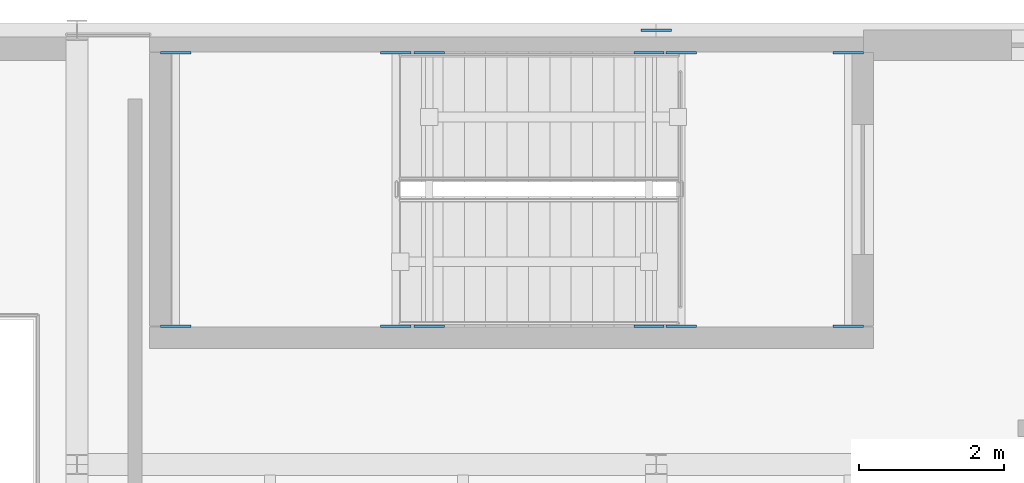
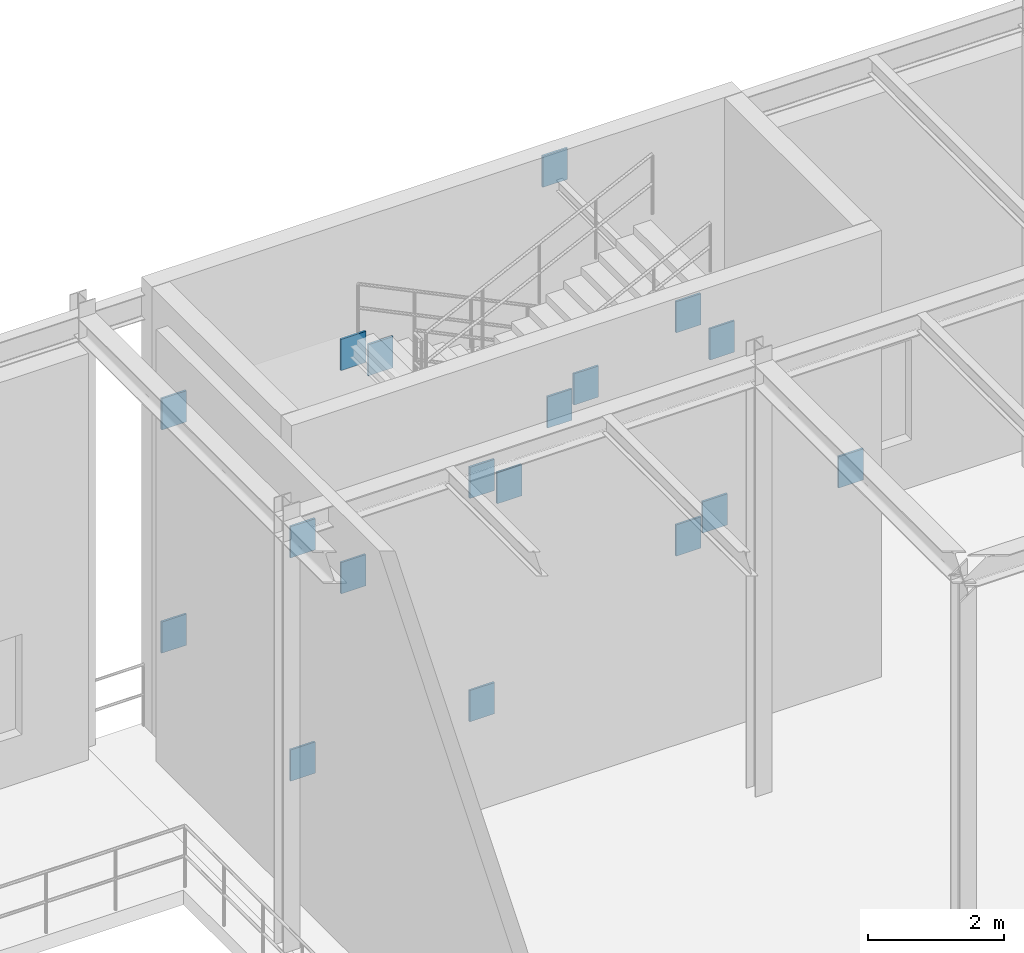
# One storey, part 89 of 138: 18 plates.
"""IFC4 building model written with IfcOpenShell, lengths in metres."""

from ifc_helpers import new_model, si_unit, direction, frame, origin, origin_2d, place, context, subcontext, project, spatial, rectangle, extrude, material, layer, layer_set, type_object, element, save


model = new_model("IFC4")

# Units and contexts
model_context = context("Model", 3, precision=1e-05, world=origin(), true_north=direction((0.0, 1.0)))
body_context = subcontext(model_context, "Body", "Model", "MODEL_VIEW")
ifc_project = project(units=[si_unit("LENGTHUNIT", "METRE"), si_unit("AREAUNIT", "SQUARE_METRE"), si_unit("VOLUMEUNIT", "CUBIC_METRE"), si_unit("PLANEANGLEUNIT", "RADIAN"), si_unit("MASSUNIT", "GRAM", prefix="KILO")], contexts=[model_context])

# Site, building, storey
site_placement = place(None, origin())
site = spatial("IfcSite", under=ifc_project, at=site_placement, CompositionType="ELEMENT")
building_placement = place(site_placement, origin())
building = spatial("IfcBuilding", under=site, at=building_placement, Name="Sundkrona Museum", CompositionType="ELEMENT")
storey_placement = place(building_placement, frame((0.0, 0.0, 9.60009765625)))
storey = spatial("IfcBuildingStorey", under=building, at=storey_placement, Name="L02", CompositionType="ELEMENT", Elevation=9.60009765625)

# Plates
ifc_material = material(Name="Steel S355J2", Category="steel")
ifc_layer = layer(ifc_material, 0.034912109375)
ifc_layer_set = layer_set([ifc_layer], Name="Steel S355J2")
plate_type = type_object("IfcPlateType", Name="EP-1", PredefinedType="USERDEFINED", material=ifc_layer_set)
for number, where, z_axis, x_axis, name in (
    (1, (144.0, 114.0, 7.23486328125), (0.0, 0.0, 1.0), (1.0, 0.0, 0.0), "Core Wall Cast-In Embed Plate BM-L02-X-1262-2"),
    (2, (137.36328125, 109.909912109375, 1.39990234375), (0.0, 0.0, 1.0), (1.0, 0.0, 0.0), "Core Wall Cast-In Embed Plate BM-STLD-ST-5-L02-1A-1"),
    (3, (137.36328125, 113.68994140625, 1.39990234375), (0.0, 0.0, 1.0), (1.0, 0.0, 0.0), "Core Wall Cast-In Embed Plate BM-STLD-ST-5-L02-1A-2"),
    (4, (140.401611328125, 109.909912109375, 1.39990234375), (0.0, 0.0, 1.0), (1.0, 0.0, 0.0), "Core Wall Cast-In Embed Plate BM-STLD-ST-5-L02-1B-1"),
    (5, (140.401611328125, 113.68994140625, 1.39990234375), (0.0, 0.0, 1.0), (1.0, 0.0, 0.0), "Core Wall Cast-In Embed Plate BM-STLD-ST-5-L02-1B-2"),
    (6, (144.347900390625, 109.909912109375, 3.39990234375), (0.0, 0.0, 1.0), (1.0, 0.0, 0.0), "Core Wall Cast-In Embed Plate BM-STLD-ST-5-L02-2A-1"),
    (7, (144.347900390625, 113.68994140625, 3.39990234375), (0.0, 0.0, 1.0), (1.0, 0.0, 0.0), "Core Wall Cast-In Embed Plate BM-STLD-ST-5-L02-2A-2"),
    (8, (146.652099609375, 109.909912109375, 3.39990234375), (0.0, 0.0, 1.0), (1.0, 0.0, 0.0), "Core Wall Cast-In Embed Plate BM-STLD-ST-5-L02-2B-1"),
    (9, (146.652099609375, 113.68994140625, 3.39990234375), (0.0, 0.0, 1.0), (1.0, 0.0, 0.0), "Core Wall Cast-In Embed Plate BM-STLD-ST-5-L02-2B-2"),
    (10, (137.36328125, 109.909912109375, 5.39990234375), (0.0, 0.0, 1.0), (1.0, 0.0, 0.0), "Core Wall Cast-In Embed Plate BM-STLD-ST-5-L02-3A-1"),
    (11, (137.36328125, 113.68994140625, 5.39990234375), (0.0, 0.0, 1.0), (1.0, 0.0, 0.0), "Core Wall Cast-In Embed Plate BM-STLD-ST-5-L02-3A-2"),
    (12, (140.401611328125, 109.909912109375, 5.39990234375), (0.0, 0.0, 1.0), (1.0, 0.0, 0.0), "Core Wall Cast-In Embed Plate BM-STLD-ST-5-L02-3B-1"),
    (13, (140.401611328125, 113.68994140625, 5.39990234375), (0.0, 0.0, 1.0), (1.0, 0.0, 0.0), "Core Wall Cast-In Embed Plate BM-STLD-ST-5-L02-3B-2"),
    (14, (143.89990234375, 109.909912109375, 3.143798828125), (0.0, 0.0, 1.0), (1.0, 0.0, 0.0), "Core Wall Cast-In Embed Plate BM-STHD-ST-5-L02-2-1"),
    (15, (143.89990234375, 113.68994140625, 3.143798828125), (0.0, 0.0, 1.0), (1.0, 0.0, 0.0), "Core Wall Cast-In Embed Plate BM-STHD-ST-5-L02-2-2"),
    (16, (140.864990234375, 109.909912109375, 5.143798828125), (0.0, 0.0, 1.0), (1.0, 0.0, 0.0), "Core Wall Cast-In Embed Plate BM-STHD-ST-5-L02-3-1"),
    (17, (140.864990234375, 113.68994140625, 5.143798828125), (0.0, 0.0, 1.0), (1.0, 0.0, 0.0), "Core Wall Cast-In Embed Plate BM-STHD-ST-5-L02-3-2"),
    (18, (143.89990234375, 109.909912109375, 7.143798828125), (0.0, 0.0, 1.0), (1.0, 0.0, 0.0), "Core Wall Cast-In Embed Plate BM-STHD-ST-5-L02-4-1"),
):
    element("IfcPlate", number, at=place(storey_placement, frame(where, z_axis=z_axis, x_axis=x_axis)), inside=storey, type_object=plate_type, Name=name, ObjectType="GUSSET PLATE", PredefinedType="USERDEFINED", context=body_context, shape_type="SweptSolid", body=[
        extrude(rectangle(XDim=0.419921875, YDim=0.034912109375, at=origin_2d()), origin(), (0.0, 0.0, 1.0), 0.56005859375),
    ])

save(model, "model.ifc")
